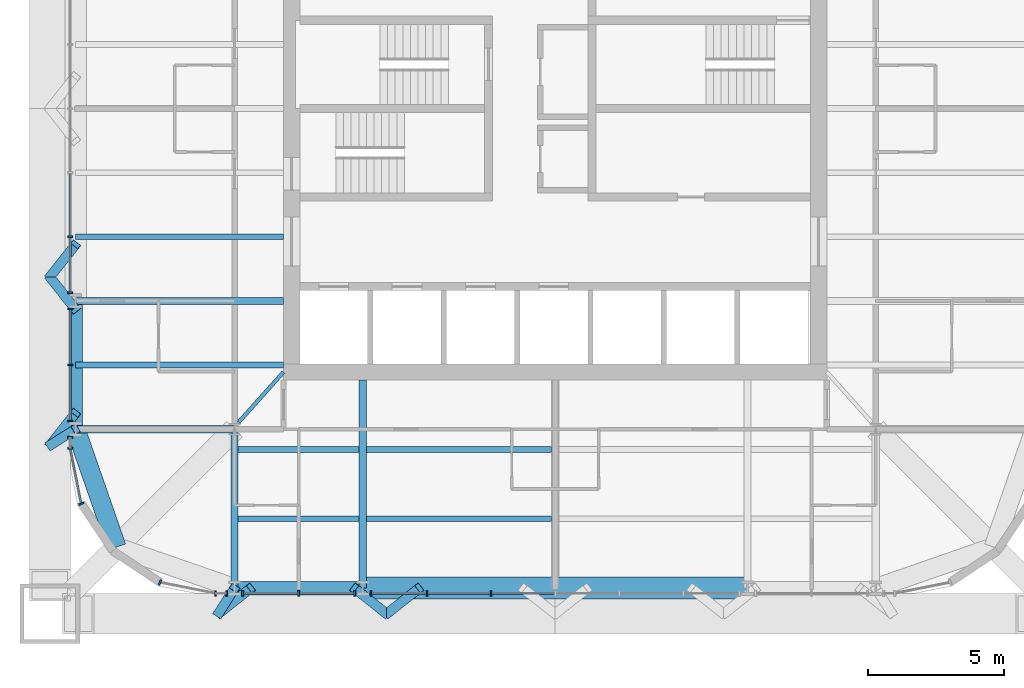
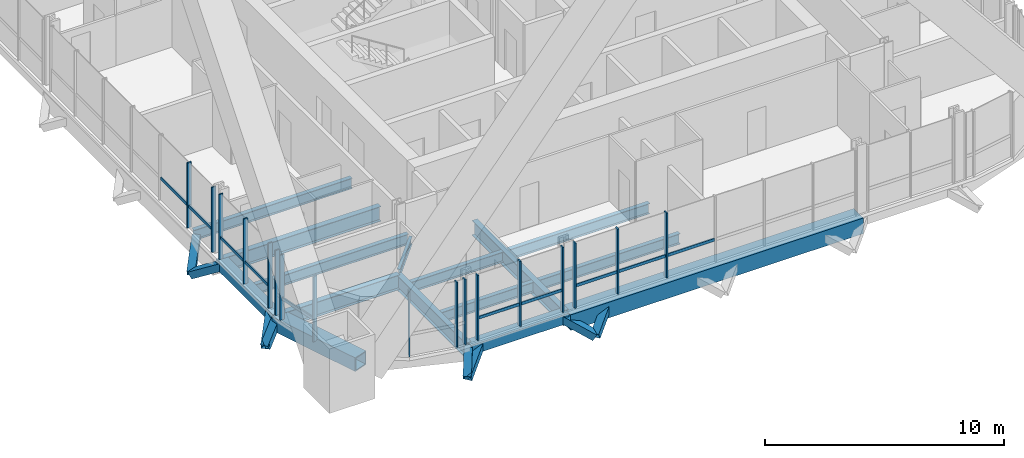
# One storey, part 2 of 23: 27 members, 23 beams, 8 elements without a shape of their own.
"""IFC4 building model written with IfcOpenShell, lengths in metres."""

from ifc_helpers import new_model, si_unit, direction, frame, origin, origin_2d, place, context, subcontext, project, spatial, rectangle, hollow_rectangle, i_section, extrude, material, material_profile, profile_set, type_object, element, aggregate, save


model = new_model("IFC4")

# Units and contexts
model_context = context("Model", 3, precision=1e-05, world=origin(), true_north=direction((0.0, 1.0)))
body_context = subcontext(model_context, "Body", "Model", "MODEL_VIEW")
ifc_project = project(units=[si_unit("LENGTHUNIT", "METRE"), si_unit("AREAUNIT", "SQUARE_METRE"), si_unit("VOLUMEUNIT", "CUBIC_METRE"), si_unit("PLANEANGLEUNIT", "RADIAN"), si_unit("MASSUNIT", "GRAM", prefix="KILO")], contexts=[model_context])

# Site, building, storey
site_placement = place(None, origin())
site = spatial("IfcSite", under=ifc_project, at=site_placement, CompositionType="ELEMENT")
building_placement = place(site_placement, origin())
building = spatial("IfcBuilding", under=site, at=building_placement, Name="Turquesa Mirador Hotel Tower", CompositionType="ELEMENT")
storey_placement = place(building_placement, frame((0.0, 0.0, 226.699951171875)))
storey = spatial("IfcBuildingStorey", under=building, at=storey_placement, Name="L61", CompositionType="ELEMENT", Elevation=226.699951171875)

# Beams
ifc_material_1 = material(Name="Steel ASTM A572 Grade 50", Category="steel")
ifc_material_profile_1 = material_profile(ifc_material_1, hollow_rectangle(XDim=0.5, YDim=0.5, WallThickness=0.031982421875, at=origin_2d()), Name="BOX500X500X32")
ifc_profile_set_1 = profile_set([ifc_material_profile_1], Name="Steel ASTM A572 Grade 50")
beam_type_1 = type_object("IfcBeamType", Name="BEAM BOX500X500X32", PredefinedType="BEAM", material=ifc_profile_set_1)
for number, where, z_axis, x_axis, name in (
    (1, (43.199951171875, 27.35009765625, -0.419921875), (1.0, 0.0, 0.0), (0.0, 1.0, 0.0), "EB-L61-S-L"),
    (2, (37.35009765625, 33.199951171875, -0.419921875), (0.0, 1.0, 0.0), (-1.0, 0.0, 0.0), "EB-L61-W-L"),
):
    element("IfcBeam", number, at=place(storey_placement, frame(where, z_axis=z_axis, x_axis=x_axis)), inside=storey, type_object=beam_type_1, Name=name, PredefinedType="BEAM", context=body_context, shape_type="SweptSolid", body=[
        extrude(hollow_rectangle(XDim=0.5, YDim=0.5, WallThickness=0.031982421875, at=origin_2d()), origin(), (0.0, 0.0, 1.0), 4.719970703125),
    ])
ifc_material_2 = material(Name="Steel ASTM A572 Grade 50", Category="steel")
ifc_material_profile_2 = material_profile(ifc_material_2, hollow_rectangle(XDim=0.699951171875, YDim=0.699951171875, WallThickness=0.044921875, at=origin_2d()), Name="BOX700X700X45")
ifc_profile_set_2 = profile_set([ifc_material_profile_2], Name="Steel ASTM A572 Grade 50")
beam_type_2 = type_object("IfcBeamType", Name="BEAM BOX700X700X45", PredefinedType="BEAM", material=ifc_profile_set_2)
beam_1_placement = place(storey_placement, frame((37.35009765625, 33.199951171875, -0.52001953125), z_axis=(0.328170356092, -0.944618556552, 0.0), x_axis=(0.944618556552, 0.328170356092, 0.0)))
element("IfcBeam", 3, at=beam_1_placement, inside=storey, type_object=beam_type_2, Name="KE-L61-3-0", PredefinedType="BEAM", context=body_context, shape_type="SweptSolid", body=[
    extrude(hollow_rectangle(XDim=0.699951171875, YDim=0.699951171875, WallThickness=0.044921875, at=origin_2d()), origin(), (0.0, 0.0, 1.0), 4.59619140625),
])
ifc_material_3 = material(Name="Steel ASTM A572 Grade 50", Category="steel")
ifc_material_profile_3 = material_profile(ifc_material_3, hollow_rectangle(XDim=0.800048828125, YDim=0.800048828125, WallThickness=0.030029296875, at=origin_2d()), Name="BOX800X800X30")
ifc_profile_set_3 = profile_set([ifc_material_profile_3], Name="Steel ASTM A572 Grade 50")
beam_type_3 = type_object("IfcBeamType", Name="BEAM BOX800X800X30", PredefinedType="BEAM", material=ifc_profile_set_3)
beam_2_placement = place(storey_placement, frame((47.919921875, 27.35009765625, -0.570068359375), z_axis=(1.0, 0.0, 0.0), x_axis=(0.0, 1.0, 0.0)))
element("IfcBeam", 4, at=beam_2_placement, inside=storey, type_object=beam_type_3, Name="EB-L61-S-C", PredefinedType="BEAM", context=body_context, shape_type="SweptSolid", body=[
    extrude(hollow_rectangle(XDim=0.800048828125, YDim=0.800048828125, WallThickness=0.030029296875, at=origin_2d()), origin(), (0.0, 0.0, 1.0), 14.16015625),
])
ifc_material_4 = material(Name="Steel ASTM A992 Grade 50", Category="steel")
ifc_material_profile_4 = material_profile(ifc_material_4, i_section(OverallWidth=0.140380859375, OverallDepth=0.40380859375, WebThickness=0.007080078125, FlangeThickness=0.01123046875, at=origin_2d()), Name="W16X31")
ifc_profile_set_4 = profile_set([ifc_material_profile_4], Name="Steel ASTM A992 Grade 50")
beam_type_4 = type_object("IfcBeamType", Name="BEAM W16X31", PredefinedType="BEAM", material=ifc_profile_set_4)
beam_3_placement = place(storey_placement, frame((43.343505859375, 33.44873046875, -0.371826171875), z_axis=(0.666806350186, 0.745231032198, 0.0), x_axis=(-0.745231032198, 0.666806350186, 0.0)))
element("IfcBeam", 5, at=beam_3_placement, inside=storey, type_object=beam_type_4, Name="KT-L61-3", PredefinedType="BEAM", context=body_context, shape_type="SweptSolid", body=[
    extrude(i_section(OverallWidth=0.140380859375, OverallDepth=0.40380859375, WebThickness=0.007080078125, FlangeThickness=0.01123046875, at=origin_2d()), origin(), (0.0, 0.0, 1.0), 2.484130859375),
])
ifc_material_5 = material(Name="Steel ASTM A992 Grade 50", Category="steel")
ifc_material_profile_5 = material_profile(ifc_material_5, i_section(OverallWidth=0.209228515625, OverallDepth=0.533447265625, WebThickness=0.01025390625, FlangeThickness=0.015625, at=origin_2d()), Name="W21X62")
ifc_profile_set_5 = profile_set([ifc_material_profile_5], Name="Steel ASTM A992 Grade 50")
beam_type_5 = type_object("IfcBeamType", Name="BEAM W21X62", PredefinedType="BEAM", material=ifc_profile_set_5)
beam_4_placement = place(storey_placement, frame((43.333251953125, 32.449951171875, -0.436767578125), z_axis=(1.0, 0.0, 0.0), x_axis=(0.0, 1.0, 0.0)))
element("IfcBeam", 6, at=beam_4_placement, inside=storey, type_object=beam_type_5, Name="IB-L61-S-1-0", PredefinedType="BEAM", context=body_context, shape_type="SweptSolid", body=[
    extrude(i_section(OverallWidth=0.209228515625, OverallDepth=0.533447265625, WebThickness=0.01025390625, FlangeThickness=0.015625, at=origin_2d()), origin(), (0.0, 0.0, 1.0), 4.453369140625),
])
beam_5_placement = place(storey_placement, frame((48.053466796875, 32.449951171875, -0.436767578125), z_axis=(1.0, 0.0, 0.0), x_axis=(0.0, 1.0, 0.0)))
element("IfcBeam", 7, at=beam_5_placement, inside=storey, type_object=beam_type_5, Name="IB-L61-S-1-1", PredefinedType="BEAM", context=body_context, shape_type="SweptSolid", body=[
    extrude(i_section(OverallWidth=0.209228515625, OverallDepth=0.533447265625, WebThickness=0.01025390625, FlangeThickness=0.015625, at=origin_2d()), origin(), (0.0, 0.0, 1.0), 6.813232421875),
])
beam_6_placement = place(storey_placement, frame((43.333251953125, 29.89990234375, -0.436767578125), z_axis=(1.0, 0.0, 0.0), x_axis=(0.0, 1.0, 0.0)))
element("IfcBeam", 8, at=beam_6_placement, inside=storey, type_object=beam_type_5, Name="IB-L61-S-2-0", PredefinedType="BEAM", context=body_context, shape_type="SweptSolid", body=[
    extrude(i_section(OverallWidth=0.209228515625, OverallDepth=0.533447265625, WebThickness=0.01025390625, FlangeThickness=0.015625, at=origin_2d()), origin(), (0.0, 0.0, 1.0), 4.453369140625),
])
beam_7_placement = place(storey_placement, frame((48.053466796875, 29.89990234375, -0.436767578125), z_axis=(1.0, 0.0, 0.0), x_axis=(0.0, 1.0, 0.0)))
element("IfcBeam", 9, at=beam_7_placement, inside=storey, type_object=beam_type_5, Name="IB-L61-S-2-1", PredefinedType="BEAM", context=body_context, shape_type="SweptSolid", body=[
    extrude(i_section(OverallWidth=0.209228515625, OverallDepth=0.533447265625, WebThickness=0.01025390625, FlangeThickness=0.015625, at=origin_2d()), origin(), (0.0, 0.0, 1.0), 6.813232421875),
])
for number, where, z_axis, x_axis, name in (
    (10, (37.35009765625, 35.56005859375, -0.436767578125), (1.0, 0.0, 0.0), (0.0, 1.0, 0.0), "BM-L61-W--9.44"),
    (11, (37.35009765625, 40.280029296875, -0.436767578125), (1.0, 0.0, 0.0), (0.0, 1.0, 0.0), "BM-L61-W--4.72"),
):
    element("IfcBeam", number, at=place(storey_placement, frame(where, z_axis=z_axis, x_axis=x_axis)), inside=storey, type_object=beam_type_5, Name=name, PredefinedType="BEAM", context=body_context, shape_type="SweptSolid", body=[
        extrude(i_section(OverallWidth=0.209228515625, OverallDepth=0.533447265625, WebThickness=0.01025390625, FlangeThickness=0.015625, at=origin_2d()), origin(), (0.0, 0.0, 1.0), 7.64990234375),
    ])
ifc_material_6 = material(Name="Steel ASTM A992 Grade 50", Category="steel")
ifc_material_profile_6 = material_profile(ifc_material_6, i_section(OverallWidth=0.2666015625, OverallDepth=0.7568359375, WebThickness=0.013916015625, FlangeThickness=0.019287109375, at=origin_2d()), Name="W30X108")
ifc_profile_set_6 = profile_set([ifc_material_profile_6], Name="Steel ASTM A992 Grade 50")
beam_type_6 = type_object("IfcBeamType", Name="BEAM W30X108", PredefinedType="BEAM", material=ifc_profile_set_6)
beam_8_placement = place(storey_placement, frame((47.919921875, 27.35009765625, -0.54833984375), z_axis=(0.0, 1.0, 0.0), x_axis=(-1.0, 0.0, 0.0)))
element("IfcBeam", 12, at=beam_8_placement, inside=storey, type_object=beam_type_6, Name="GD-L61-S--7.08", PredefinedType="BEAM", context=body_context, shape_type="SweptSolid", body=[
    extrude(i_section(OverallWidth=0.2666015625, OverallDepth=0.7568359375, WebThickness=0.013916015625, FlangeThickness=0.019287109375, at=origin_2d()), origin(), (0.0, 0.0, 1.0), 7.64990234375),
])
beam_9_placement = place(storey_placement, frame((43.199951171875, 27.35009765625, -0.54833984375), z_axis=(0.0, 1.0, 0.0), x_axis=(-1.0, 0.0, 0.0)))
element("IfcBeam", 13, at=beam_9_placement, inside=storey, type_object=beam_type_6, Name="GK-L61-S--11.80", PredefinedType="BEAM", context=body_context, shape_type="SweptSolid", body=[
    extrude(i_section(OverallWidth=0.2666015625, OverallDepth=0.7568359375, WebThickness=0.013916015625, FlangeThickness=0.019287109375, at=origin_2d()), origin(), (0.0, 0.0, 1.0), 5.849853515625),
])
beam_10_placement = place(storey_placement, frame((37.35009765625, 37.919921875, -0.54833984375), z_axis=(1.0, 0.0, 0.0), x_axis=(0.0, 1.0, 0.0)))
element("IfcBeam", 14, at=beam_10_placement, inside=storey, type_object=beam_type_6, Name="GD-L61-W--7.08", PredefinedType="BEAM", context=body_context, shape_type="SweptSolid", body=[
    extrude(i_section(OverallWidth=0.2666015625, OverallDepth=0.7568359375, WebThickness=0.013916015625, FlangeThickness=0.019287109375, at=origin_2d()), origin(), (0.0, 0.0, 1.0), 7.64990234375),
])
beam_11_placement = place(storey_placement, frame((37.35009765625, 33.199951171875, -0.54833984375), z_axis=(1.0, 0.0, 0.0), x_axis=(0.0, 1.0, 0.0)))
element("IfcBeam", 15, at=beam_11_placement, inside=storey, type_object=beam_type_6, Name="GK-L61-W--11.80", PredefinedType="BEAM", context=body_context, shape_type="SweptSolid", body=[
    extrude(i_section(OverallWidth=0.2666015625, OverallDepth=0.7568359375, WebThickness=0.013916015625, FlangeThickness=0.019287109375, at=origin_2d()), origin(), (0.0, 0.0, 1.0), 5.849853515625),
])
ifc_material_7 = material(Name="Steel ASTM A500 Grade C", Category="steel")
ifc_material_profile_7 = material_profile(ifc_material_7, hollow_rectangle(XDim=0.355712890625, YDim=0.355712890625, WallThickness=0.0146484375, at=origin_2d()), Name="HSS14X14X5/8")
ifc_profile_set_7 = profile_set([ifc_material_profile_7], Name="Steel ASTM A500 Grade C")
beam_type_7 = type_object("IfcBeamType", Name="BRACE STRUT HSS14X14X5/8", PredefinedType="BEAM", material=ifc_profile_set_7)
beam_12_placement = place(storey_placement, frame((42.60009765625, 26.39990234375, -1.199951171875), z_axis=(0.425320857531, 0.673727626174, 0.604312215564), x_axis=(-0.845597303237, 0.53382131913, 0.0)))
element("IfcBeam", 16, at=beam_12_placement, inside=storey, type_object=beam_type_7, Name="Brace strut", PredefinedType="BEAM", context=body_context, shape_type="SweptSolid", body=[
    extrude(hollow_rectangle(XDim=0.355712890625, YDim=0.355712890625, WallThickness=0.0146484375, at=origin_2d()), origin(), (0.0, 0.0, 1.0), 1.410400390625),
])
for number, where, z_axis, x_axis, name in (
    (17, (42.60009765625, 26.39990234375, -1.199951171875), (0.684941954003, 0.542379264492, 0.486496919924), (-0.620796907089, 0.783971428146, 0.0), "Brace strut"),
    (18, (48.800048828125, 26.39990234375, -1.199951171875), (-0.684941954003, 0.542379264492, 0.486496919924), (-0.620796907089, -0.783971428146, 0.0), "Brace strut"),
    (19, (48.800048828125, 26.39990234375, -1.199951171875), (0.684941954003, 0.542379264492, 0.486496919924), (-0.620796907089, 0.783971428146, 0.0), "Brace strut"),
):
    element("IfcBeam", number, at=place(storey_placement, frame(where, z_axis=z_axis, x_axis=x_axis)), inside=storey, type_object=beam_type_7, Name=name, PredefinedType="BEAM", context=body_context, shape_type="SweptSolid", body=[
        extrude(hollow_rectangle(XDim=0.355712890625, YDim=0.355712890625, WallThickness=0.0146484375, at=origin_2d()), origin(), (0.0, 0.0, 1.0), 1.751953125),
    ])
beam_13_placement = place(storey_placement, frame((36.39990234375, 32.60009765625, -1.199951171875), z_axis=(0.673727626174, 0.425320857531, 0.604312215564), x_axis=(-0.53382131913, 0.845597303237, 0.0)))
element("IfcBeam", 20, at=beam_13_placement, inside=storey, type_object=beam_type_7, Name="Brace strut", PredefinedType="BEAM", context=body_context, shape_type="SweptSolid", body=[
    extrude(hollow_rectangle(XDim=0.355712890625, YDim=0.355712890625, WallThickness=0.0146484375, at=origin_2d()), origin(), (0.0, 0.0, 1.0), 1.410400390625),
])
for number, where, z_axis, x_axis, name in (
    (21, (36.39990234375, 32.60009765625, -1.199951171875), (0.542379264492, 0.684941954003, 0.486496919924), (-0.783971428146, 0.620796907089, 0.0), "Brace strut"),
    (22, (36.39990234375, 38.800048828125, -1.199951171875), (0.542379264492, -0.684941954003, 0.486496919924), (0.783971428146, 0.620796907089, 0.0), "Brace strut"),
    (23, (36.39990234375, 38.800048828125, -1.199951171875), (0.542379264492, 0.684941954003, 0.486496919924), (-0.783971428146, 0.620796907089, 0.0), "Brace strut"),
):
    element("IfcBeam", number, at=place(storey_placement, frame(where, z_axis=z_axis, x_axis=x_axis)), inside=storey, type_object=beam_type_7, Name=name, PredefinedType="BEAM", context=body_context, shape_type="SweptSolid", body=[
        extrude(hollow_rectangle(XDim=0.355712890625, YDim=0.355712890625, WallThickness=0.0146484375, at=origin_2d()), origin(), (0.0, 0.0, 1.0), 1.751953125),
    ])

# Curtain wall, members
ifc_material_8 = material(Name="Aluminium extrusion", Category="aluminium")
curtain_wall_type = type_object("IfcCurtainWallType", Name="CW-4 SUITE FRITTED CURTAIN WALL", PredefinedType="USERDEFINED", material=ifc_material_8)
curtain_wall_1_placement = place(storey_placement, origin())
curtain_wall_1 = element("IfcCurtainWall", 24, at=curtain_wall_1_placement, inside=storey, type_object=curtain_wall_type, Name="CW-4 SUITE FRITTED CURTAIN WALL L61", ObjectType="CURTAIN WALL", PredefinedType="USERDEFINED")
ifc_material_9 = material(Name="Aluminium extrusion", Category="aluminium")
ifc_material_profile_8 = material_profile(ifc_material_9, rectangle(XDim=0.06494140625, YDim=0.199951171875, at=origin_2d()), Name="MULLION 65X200")
ifc_profile_set_8 = profile_set([ifc_material_profile_8], Name="Aluminium extrusion")
member_type_1 = type_object("IfcMemberType", Name="CW MULLION 65X200", PredefinedType="MULLION", material=ifc_profile_set_8)
member_1_placement = place(storey_placement, frame((37.14990234375, 40.280029296875, 0.0), z_axis=(0.0, 0.0, 1.0), x_axis=(0.0, -1.0, 0.0)))
member_1 = element("IfcMember", 25, at=member_1_placement, type_object=member_type_1, Name="Mullion", PredefinedType="MULLION", context=body_context, shape_type="SweptSolid", body=[
    extrude(rectangle(XDim=0.06494140625, YDim=0.199951171875, at=origin_2d()), origin(), (0.0, 0.0, 1.0), 3.330078125),
])
member_2_placement = place(storey_placement, frame((37.14990234375, 38.219970703125, 0.0), z_axis=(0.0, 0.0, 1.0), x_axis=(0.0, -1.0, 0.0)))
member_2 = element("IfcMember", 26, at=member_2_placement, type_object=member_type_1, Name="Mullion", PredefinedType="MULLION", context=body_context, shape_type="SweptSolid", body=[
    extrude(rectangle(XDim=0.06494140625, YDim=0.199951171875, at=origin_2d()), origin(), (0.0, 0.0, 1.0), 3.330078125),
])

curtain_wall_2_placement = place(storey_placement, origin())
curtain_wall_2 = element("IfcCurtainWall", 27, at=curtain_wall_2_placement, inside=storey, type_object=curtain_wall_type, Name="CW-4 SUITE FRITTED CURTAIN WALL L61", ObjectType="CURTAIN WALL", PredefinedType="USERDEFINED")
member_3_placement = place(storey_placement, frame((37.14990234375, 37.6201171875, 0.0), z_axis=(0.0, 0.0, 1.0), x_axis=(0.0, -1.0, 0.0)))
member_3 = element("IfcMember", 28, at=member_3_placement, type_object=member_type_1, Name="Mullion", PredefinedType="MULLION", context=body_context, shape_type="SweptSolid", body=[
    extrude(rectangle(XDim=0.06494140625, YDim=0.199951171875, at=origin_2d()), origin(), (0.0, 0.0, 1.0), 3.330078125),
])
member_4_placement = place(storey_placement, frame((37.14990234375, 35.56005859375, 0.0), z_axis=(0.0, 0.0, 1.0), x_axis=(0.0, -1.0, 0.0)))
member_4 = element("IfcMember", 29, at=member_4_placement, type_object=member_type_1, Name="Mullion", PredefinedType="MULLION", context=body_context, shape_type="SweptSolid", body=[
    extrude(rectangle(XDim=0.06494140625, YDim=0.199951171875, at=origin_2d()), origin(), (0.0, 0.0, 1.0), 3.330078125),
])
member_5_placement = place(storey_placement, frame((37.14990234375, 33.5, 0.0), z_axis=(0.0, 0.0, 1.0), x_axis=(0.0, -1.0, 0.0)))
member_5 = element("IfcMember", 30, at=member_5_placement, type_object=member_type_1, Name="Mullion", PredefinedType="MULLION", context=body_context, shape_type="SweptSolid", body=[
    extrude(rectangle(XDim=0.06494140625, YDim=0.199951171875, at=origin_2d()), origin(), (0.0, 0.0, 1.0), 3.330078125),
])

curtain_wall_3_placement = place(storey_placement, origin())
curtain_wall_3 = element("IfcCurtainWall", 31, at=curtain_wall_3_placement, inside=storey, type_object=curtain_wall_type, Name="CW-4 SUITE FRITTED CURTAIN WALL L61", ObjectType="CURTAIN WALL", PredefinedType="USERDEFINED")
member_6_placement = place(storey_placement, frame((37.14990234375, 32.900146484375, 0.0), z_axis=(0.0, 0.0, 1.0), x_axis=(0.0, -1.0, 0.0)))
member_6 = element("IfcMember", 32, at=member_6_placement, type_object=member_type_1, Name="Mullion", PredefinedType="MULLION", context=body_context, shape_type="SweptSolid", body=[
    extrude(rectangle(XDim=0.06494140625, YDim=0.199951171875, at=origin_2d()), origin(), (0.0, 0.0, 1.0), 3.330078125),
])
member_7_placement = place(storey_placement, frame((37.14990234375, 32.5, 0.0), z_axis=(0.0, 0.0, 1.0), x_axis=(0.0, -1.0, 0.0)))
member_7 = element("IfcMember", 33, at=member_7_placement, type_object=member_type_1, Name="Mullion", PredefinedType="MULLION", context=body_context, shape_type="SweptSolid", body=[
    extrude(rectangle(XDim=0.06494140625, YDim=0.199951171875, at=origin_2d()), origin(), (0.0, 0.0, 1.0), 3.330078125),
])
aggregate(curtain_wall_3, [member_6, member_7])

# Curtain wall, member
curtain_wall_4_placement = place(storey_placement, origin())
curtain_wall_4 = element("IfcCurtainWall", 34, at=curtain_wall_4_placement, inside=storey, type_object=curtain_wall_type, Name="CW-4 SUITE FRITTED CURTAIN WALL L61", ObjectType="CURTAIN WALL", PredefinedType="USERDEFINED")
member_8_placement = place(storey_placement, frame((37.55712890625, 30.45263671875, 0.0), z_axis=(0.0, 0.0, 1.0), x_axis=(0.382683432365, -0.923879532511, 0.0)))
member_8 = element("IfcMember", 35, at=member_8_placement, type_object=member_type_1, Name="Mullion", PredefinedType="MULLION", context=body_context, shape_type="SweptSolid", body=[
    extrude(rectangle(XDim=0.06494140625, YDim=0.199951171875, at=origin_2d()), origin(), (0.0, 0.0, 1.0), 3.330078125),
])

curtain_wall_5_placement = place(storey_placement, origin())
curtain_wall_5 = element("IfcCurtainWall", 36, at=curtain_wall_5_placement, inside=storey, type_object=curtain_wall_type, Name="CW-4 SUITE FRITTED CURTAIN WALL L61", ObjectType="CURTAIN WALL", PredefinedType="USERDEFINED")
member_9_placement = place(storey_placement, frame((40.45263671875, 27.55712890625, 0.0), z_axis=(0.0, 0.0, 1.0), x_axis=(0.923879532511, -0.382683432365, 0.0)))
member_9 = element("IfcMember", 37, at=member_9_placement, type_object=member_type_1, Name="Mullion", PredefinedType="MULLION", context=body_context, shape_type="SweptSolid", body=[
    extrude(rectangle(XDim=0.06494140625, YDim=0.199951171875, at=origin_2d()), origin(), (0.0, 0.0, 1.0), 3.330078125),
])
aggregate(curtain_wall_5, [member_9])

# Curtain wall, members
curtain_wall_6_placement = place(storey_placement, origin())
curtain_wall_6 = element("IfcCurtainWall", 38, at=curtain_wall_6_placement, inside=storey, type_object=curtain_wall_type, Name="CW-4 SUITE FRITTED CURTAIN WALL L61", ObjectType="CURTAIN WALL", PredefinedType="USERDEFINED")
member_10_placement = place(storey_placement, frame((42.5, 27.14990234375, 0.0), z_axis=(0.0, 0.0, 1.0), x_axis=(1.0, 0.0, 0.0)))
member_10 = element("IfcMember", 39, at=member_10_placement, type_object=member_type_1, Name="Mullion", PredefinedType="MULLION", context=body_context, shape_type="SweptSolid", body=[
    extrude(rectangle(XDim=0.06494140625, YDim=0.199951171875, at=origin_2d()), origin(), (0.0, 0.0, 1.0), 3.330078125),
])
member_11_placement = place(storey_placement, frame((42.900146484375, 27.14990234375, 0.0), z_axis=(0.0, 0.0, 1.0), x_axis=(1.0, 0.0, 0.0)))
member_11 = element("IfcMember", 40, at=member_11_placement, type_object=member_type_1, Name="Mullion", PredefinedType="MULLION", context=body_context, shape_type="SweptSolid", body=[
    extrude(rectangle(XDim=0.06494140625, YDim=0.199951171875, at=origin_2d()), origin(), (0.0, 0.0, 1.0), 3.330078125),
])
aggregate(curtain_wall_6, [member_10, member_11])

curtain_wall_7_placement = place(storey_placement, origin())
curtain_wall_7 = element("IfcCurtainWall", 41, at=curtain_wall_7_placement, inside=storey, type_object=curtain_wall_type, Name="CW-4 SUITE FRITTED CURTAIN WALL L61", ObjectType="CURTAIN WALL", PredefinedType="USERDEFINED")
member_12_placement = place(storey_placement, frame((43.5, 27.14990234375, 0.0), z_axis=(0.0, 0.0, 1.0), x_axis=(1.0, 0.0, 0.0)))
member_12 = element("IfcMember", 42, at=member_12_placement, type_object=member_type_1, Name="Mullion", PredefinedType="MULLION", context=body_context, shape_type="SweptSolid", body=[
    extrude(rectangle(XDim=0.06494140625, YDim=0.199951171875, at=origin_2d()), origin(), (0.0, 0.0, 1.0), 3.330078125),
])
member_13_placement = place(storey_placement, frame((45.56005859375, 27.14990234375, 0.0), z_axis=(0.0, 0.0, 1.0), x_axis=(1.0, 0.0, 0.0)))
member_13 = element("IfcMember", 43, at=member_13_placement, type_object=member_type_1, Name="Mullion", PredefinedType="MULLION", context=body_context, shape_type="SweptSolid", body=[
    extrude(rectangle(XDim=0.06494140625, YDim=0.199951171875, at=origin_2d()), origin(), (0.0, 0.0, 1.0), 3.330078125),
])
member_14_placement = place(storey_placement, frame((47.6201171875, 27.14990234375, 0.0), z_axis=(0.0, 0.0, 1.0), x_axis=(1.0, 0.0, 0.0)))
member_14 = element("IfcMember", 44, at=member_14_placement, type_object=member_type_1, Name="Mullion", PredefinedType="MULLION", context=body_context, shape_type="SweptSolid", body=[
    extrude(rectangle(XDim=0.06494140625, YDim=0.199951171875, at=origin_2d()), origin(), (0.0, 0.0, 1.0), 3.330078125),
])

curtain_wall_8_placement = place(storey_placement, origin())
curtain_wall_8 = element("IfcCurtainWall", 45, at=curtain_wall_8_placement, inside=storey, type_object=curtain_wall_type, Name="CW-4 SUITE FRITTED CURTAIN WALL L61", ObjectType="CURTAIN WALL", PredefinedType="USERDEFINED")
member_15_placement = place(storey_placement, frame((48.219970703125, 27.14990234375, 0.0), z_axis=(0.0, 0.0, 1.0), x_axis=(1.0, 0.0, 0.0)))
member_15 = element("IfcMember", 46, at=member_15_placement, type_object=member_type_1, Name="Mullion", PredefinedType="MULLION", context=body_context, shape_type="SweptSolid", body=[
    extrude(rectangle(XDim=0.06494140625, YDim=0.199951171875, at=origin_2d()), origin(), (0.0, 0.0, 1.0), 3.330078125),
])
member_16_placement = place(storey_placement, frame((50.280029296875, 27.14990234375, 0.0), z_axis=(0.0, 0.0, 1.0), x_axis=(1.0, 0.0, 0.0)))
member_16 = element("IfcMember", 47, at=member_16_placement, type_object=member_type_1, Name="Mullion", PredefinedType="MULLION", context=body_context, shape_type="SweptSolid", body=[
    extrude(rectangle(XDim=0.06494140625, YDim=0.199951171875, at=origin_2d()), origin(), (0.0, 0.0, 1.0), 3.330078125),
])
member_17_placement = place(storey_placement, frame((52.639892578125, 27.14990234375, 0.0), z_axis=(0.0, 0.0, 1.0), x_axis=(1.0, 0.0, 0.0)))
member_17 = element("IfcMember", 48, at=member_17_placement, type_object=member_type_1, Name="Mullion", PredefinedType="MULLION", context=body_context, shape_type="SweptSolid", body=[
    extrude(rectangle(XDim=0.06494140625, YDim=0.199951171875, at=origin_2d()), origin(), (0.0, 0.0, 1.0), 3.330078125),
])

# Member
ifc_material_10 = material(Name="Aluminium extrusion", Category="aluminium")
ifc_material_profile_9 = material_profile(ifc_material_10, rectangle(XDim=0.06494140625, YDim=0.14990234375, at=origin_2d()), Name="TRANSOM 65X150")
ifc_profile_set_9 = profile_set([ifc_material_profile_9], Name="Aluminium extrusion")
member_type_2 = type_object("IfcMemberType", Name="CW TRANSOM 65X150", PredefinedType="USERDEFINED", material=ifc_profile_set_9)
member_18_placement = place(storey_placement, frame((37.14990234375, 42.607421875, 1.10009765625), z_axis=(0.0, -1.0, 0.0), x_axis=(1.0, 0.0, 0.0)))
member_18 = element("IfcMember", 49, at=member_18_placement, type_object=member_type_2, Name="Transom", ObjectType="TRANSOM", PredefinedType="USERDEFINED", context=body_context, shape_type="SweptSolid", body=[
    extrude(rectangle(XDim=0.06494140625, YDim=0.14990234375, at=origin_2d()), origin(), (0.0, 0.0, 1.0), 2.294921875),
])

member_19_placement = place(storey_placement, frame((37.14990234375, 40.24755859375, 1.10009765625), z_axis=(0.0, -1.0, 0.0), x_axis=(1.0, 0.0, 0.0)))
member_19 = element("IfcMember", 50, at=member_19_placement, type_object=member_type_2, Name="Transom", ObjectType="TRANSOM", PredefinedType="USERDEFINED", context=body_context, shape_type="SweptSolid", body=[
    extrude(rectangle(XDim=0.06494140625, YDim=0.14990234375, at=origin_2d()), origin(), (0.0, 0.0, 1.0), 1.9951171875),
])

aggregate(curtain_wall_1, [member_1, member_2, member_18, member_19])

member_20_placement = place(storey_placement, frame((37.14990234375, 37.587646484375, 1.10009765625), z_axis=(0.0, -1.0, 0.0), x_axis=(1.0, 0.0, 0.0)))
member_20 = element("IfcMember", 51, at=member_20_placement, type_object=member_type_2, Name="Transom", ObjectType="TRANSOM", PredefinedType="USERDEFINED", context=body_context, shape_type="SweptSolid", body=[
    extrude(rectangle(XDim=0.06494140625, YDim=0.14990234375, at=origin_2d()), origin(), (0.0, 0.0, 1.0), 1.9951171875),
])

member_21_placement = place(storey_placement, frame((37.14990234375, 35.527587890625, 1.10009765625), z_axis=(0.0, -1.0, 0.0), x_axis=(1.0, 0.0, 0.0)))
member_21 = element("IfcMember", 52, at=member_21_placement, type_object=member_type_2, Name="Transom", ObjectType="TRANSOM", PredefinedType="USERDEFINED", context=body_context, shape_type="SweptSolid", body=[
    extrude(rectangle(XDim=0.06494140625, YDim=0.14990234375, at=origin_2d()), origin(), (0.0, 0.0, 1.0), 1.9951171875),
])

aggregate(curtain_wall_2, [member_3, member_4, member_5, member_20, member_21])

member_22_placement = place(storey_placement, frame((37.15625, 32.468017578125, 1.10009765625), z_axis=(0.195210621934, -0.980761343592, 0.0), x_axis=(0.980761343592, 0.195210621934, 0.0)))
member_22 = element("IfcMember", 53, at=member_22_placement, type_object=member_type_2, Name="Transom", ObjectType="TRANSOM", PredefinedType="USERDEFINED", context=body_context, shape_type="SweptSolid", body=[
    extrude(rectangle(XDim=0.06494140625, YDim=0.14990234375, at=origin_2d()), origin(), (0.0, 0.0, 1.0), 2.022216796875),
])

aggregate(curtain_wall_4, [member_8, member_22])

member_23_placement = place(storey_placement, frame((43.532470703125, 27.14990234375, 1.10009765625), z_axis=(1.0, 0.0, 0.0), x_axis=(0.0, 1.0, 0.0)))
member_23 = element("IfcMember", 54, at=member_23_placement, type_object=member_type_2, Name="Transom", ObjectType="TRANSOM", PredefinedType="USERDEFINED", context=body_context, shape_type="SweptSolid", body=[
    extrude(rectangle(XDim=0.06494140625, YDim=0.14990234375, at=origin_2d()), origin(), (0.0, 0.0, 1.0), 1.9951171875),
])

member_24_placement = place(storey_placement, frame((45.592529296875, 27.14990234375, 1.10009765625), z_axis=(1.0, 0.0, 0.0), x_axis=(0.0, 1.0, 0.0)))
member_24 = element("IfcMember", 55, at=member_24_placement, type_object=member_type_2, Name="Transom", ObjectType="TRANSOM", PredefinedType="USERDEFINED", context=body_context, shape_type="SweptSolid", body=[
    extrude(rectangle(XDim=0.06494140625, YDim=0.14990234375, at=origin_2d()), origin(), (0.0, 0.0, 1.0), 1.9951171875),
])

aggregate(curtain_wall_7, [member_12, member_13, member_14, member_23, member_24])

member_25_placement = place(storey_placement, frame((48.25244140625, 27.14990234375, 1.10009765625), z_axis=(1.0, 0.0, 0.0), x_axis=(0.0, 1.0, 0.0)))
member_25 = element("IfcMember", 56, at=member_25_placement, type_object=member_type_2, Name="Transom", ObjectType="TRANSOM", PredefinedType="USERDEFINED", context=body_context, shape_type="SweptSolid", body=[
    extrude(rectangle(XDim=0.06494140625, YDim=0.14990234375, at=origin_2d()), origin(), (0.0, 0.0, 1.0), 1.9951171875),
])

member_26_placement = place(storey_placement, frame((50.3125, 27.14990234375, 1.10009765625), z_axis=(1.0, 0.0, 0.0), x_axis=(0.0, 1.0, 0.0)))
member_26 = element("IfcMember", 57, at=member_26_placement, type_object=member_type_2, Name="Transom", ObjectType="TRANSOM", PredefinedType="USERDEFINED", context=body_context, shape_type="SweptSolid", body=[
    extrude(rectangle(XDim=0.06494140625, YDim=0.14990234375, at=origin_2d()), origin(), (0.0, 0.0, 1.0), 2.294921875),
])

member_27_placement = place(storey_placement, frame((52.672607421875, 27.14990234375, 1.10009765625), z_axis=(1.0, 0.0, 0.0), x_axis=(0.0, 1.0, 0.0)))
member_27 = element("IfcMember", 58, at=member_27_placement, type_object=member_type_2, Name="Transom", ObjectType="TRANSOM", PredefinedType="USERDEFINED", context=body_context, shape_type="SweptSolid", body=[
    extrude(rectangle(XDim=0.06494140625, YDim=0.14990234375, at=origin_2d()), origin(), (0.0, 0.0, 1.0), 2.294921875),
])

aggregate(curtain_wall_8, [member_15, member_16, member_17, member_25, member_26, member_27])

save(model, "model.ifc")
